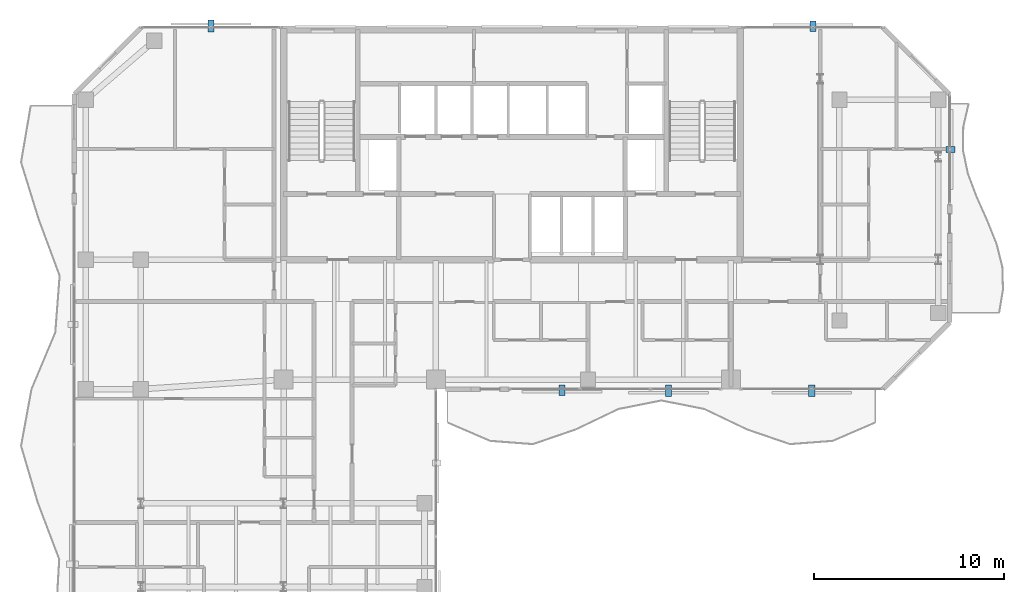
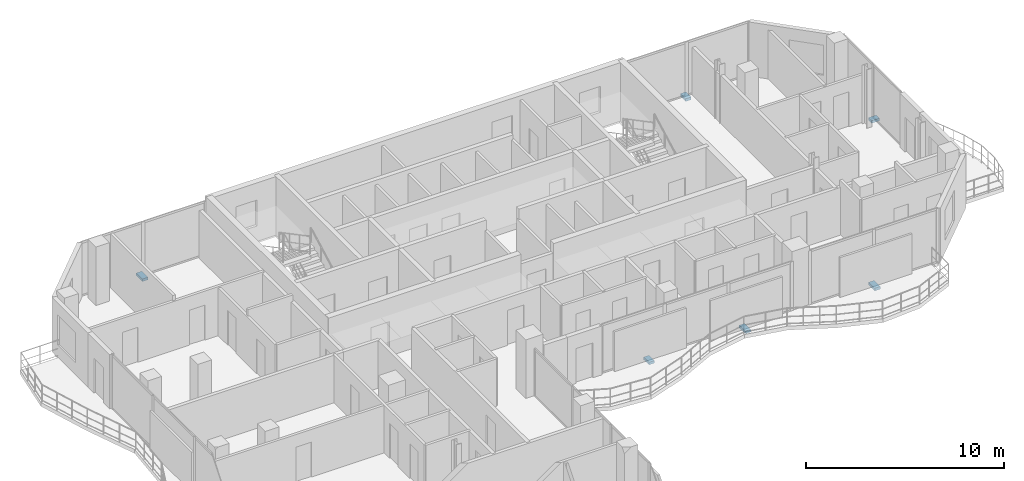
# One storey, part 21 of 24: 6 discrete accessories.
"""IFC4 building model written with IfcOpenShell, lengths in metres."""

from ifc_helpers import new_model, si_unit, direction, frame, origin, origin_2d, place, context, subcontext, project, spatial, rectangle, extrude, material, type_object, element, save


model = new_model("IFC4")

# Units and contexts
model_context = context("Model", 3, precision=1e-05, world=origin(), true_north=direction((0.0, 1.0)))
body_context = subcontext(model_context, "Body", "Model", "MODEL_VIEW")
ifc_project = project(units=[si_unit("LENGTHUNIT", "METRE"), si_unit("AREAUNIT", "SQUARE_METRE"), si_unit("VOLUMEUNIT", "CUBIC_METRE"), si_unit("PLANEANGLEUNIT", "RADIAN"), si_unit("MASSUNIT", "GRAM", prefix="KILO")], contexts=[model_context])

# Site, building, storey
site_placement = place(None, origin())
site = spatial("IfcSite", under=ifc_project, at=site_placement, CompositionType="ELEMENT")
building_placement = place(site_placement, origin())
building = spatial("IfcBuilding", under=site, at=building_placement, Name="Catumbela Crestline Tower", CompositionType="ELEMENT")
storey_placement = place(building_placement, frame((0.0, 0.0, 154.2)))
storey = spatial("IfcBuildingStorey", under=building, at=storey_placement, Name="L39", CompositionType="ELEMENT", Elevation=154.2)

# Discrete accessories
ifc_material = material(Name="Stainless steel EN 1.4401", Category="steel")
discrete_accessory_type = type_object("IfcDiscreteAccessoryType", Name="BK-SS1", PredefinedType="BRACKET", material=ifc_material)
discrete_accessory_1_placement = place(storey_placement, frame((30.6375, 23.935, -0.18), z_axis=(0.0, 0.0, 1.0), x_axis=(1.0, 0.0, 0.0)))
element("IfcDiscreteAccessory", 1, at=discrete_accessory_1_placement, inside=storey, type_object=discrete_accessory_type, Name="L39 Solar Screen Stainless Bracket 419", PredefinedType="BRACKET", context=body_context, shape_type="SweptSolid", body=[
    extrude(rectangle(XDim=0.32, YDim=0.54, at=origin_2d()), origin(), (0.0, 0.0, 1.0), 0.16),
])
for number, where, z_axis, x_axis, name in (
    (2, (36.2125, 23.915, -0.18), (0.0, 0.0, 1.0), (1.0, 0.0, 0.0), "L39 Solar Screen Stainless Bracket 420"),
    (3, (43.75, 23.915, -0.18), (0.0, 0.0, 1.0), (1.0, 0.0, 0.0), "L39 Solar Screen Stainless Bracket 421"),
):
    element("IfcDiscreteAccessory", number, at=place(storey_placement, frame(where, z_axis=z_axis, x_axis=x_axis)), inside=storey, type_object=discrete_accessory_type, Name=name, PredefinedType="BRACKET", context=body_context, shape_type="SweptSolid", body=[
        extrude(rectangle(XDim=0.32, YDim=0.62, at=origin_2d()), origin(), (0.0, 0.0, 1.0), 0.16),
    ])
discrete_accessory_2_placement = place(storey_placement, frame((51.045, 36.6, -0.18), z_axis=(0.0, 0.0, 1.0), x_axis=(0.0, 1.0, 0.0)))
element("IfcDiscreteAccessory", 4, at=discrete_accessory_2_placement, inside=storey, type_object=discrete_accessory_type, Name="L39 Solar Screen Stainless Bracket 422", PredefinedType="BRACKET", context=body_context, shape_type="SweptSolid", body=[
    extrude(rectangle(XDim=0.32, YDim=0.46, at=origin_2d()), origin(), (0.0, 0.0, 1.0), 0.16),
])
discrete_accessory_3_placement = place(storey_placement, frame((43.82, 43.065, -0.18), z_axis=(0.0, 0.0, 1.0), x_axis=(-1.0, 0.0, 0.0)))
element("IfcDiscreteAccessory", 5, at=discrete_accessory_3_placement, inside=storey, type_object=discrete_accessory_type, Name="L39 Solar Screen Stainless Bracket 423", PredefinedType="BRACKET", context=body_context, shape_type="SweptSolid", body=[
    extrude(rectangle(XDim=0.32, YDim=0.54, at=origin_2d()), origin(), (0.0, 0.0, 1.0), 0.16),
])
discrete_accessory_4_placement = place(storey_placement, frame((12.18, 43.085, -0.18), z_axis=(0.0, 0.0, 1.0), x_axis=(-1.0, 0.0, 0.0)))
element("IfcDiscreteAccessory", 6, at=discrete_accessory_4_placement, inside=storey, type_object=discrete_accessory_type, Name="L39 Solar Screen Stainless Bracket 424", PredefinedType="BRACKET", context=body_context, shape_type="SweptSolid", body=[
    extrude(rectangle(XDim=0.32, YDim=0.62, at=origin_2d()), origin(), (0.0, 0.0, 1.0), 0.16),
])

save(model, "model.ifc")
